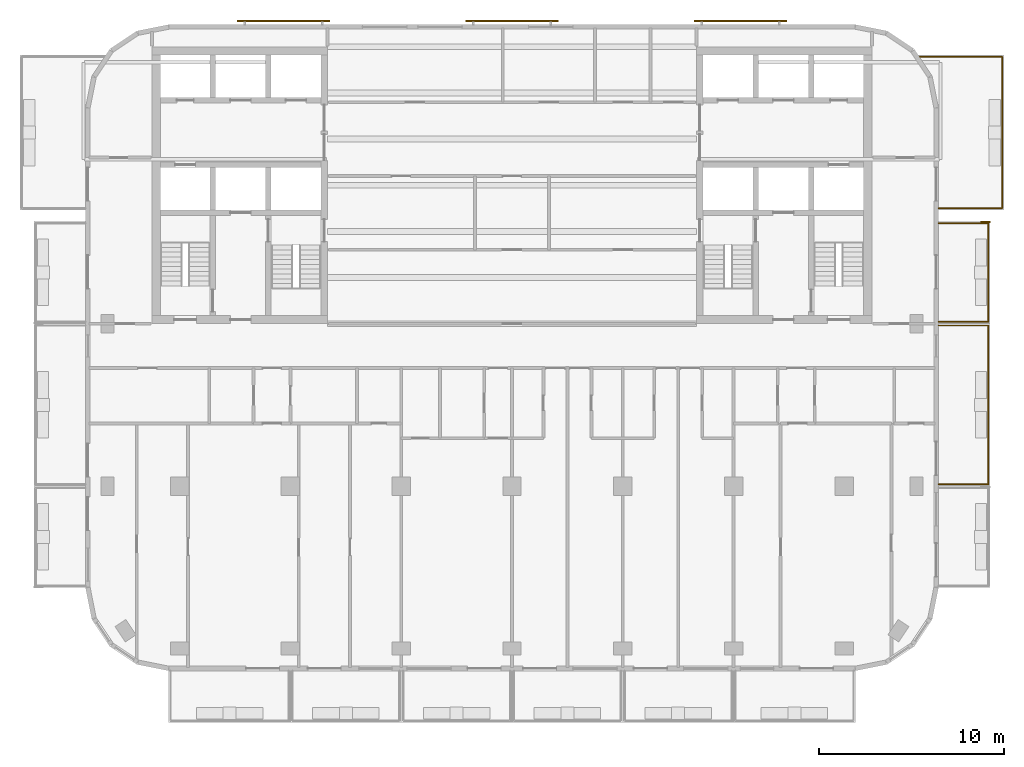
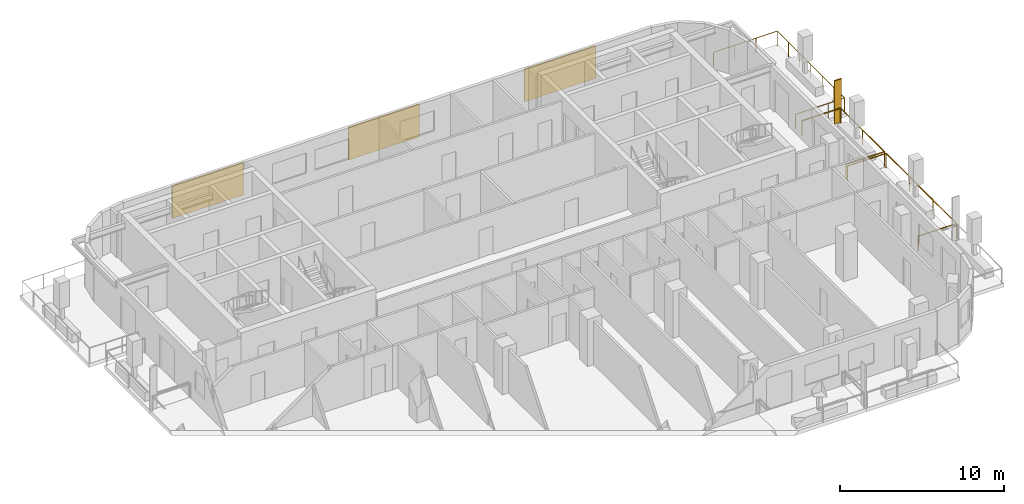
# One storey, part 10 of 11: 4 shading devices, 3 railings.
"""IFC4 building model written with IfcOpenShell, lengths in metres."""

from ifc_helpers import new_model, si_unit, direction, frame, origin, origin_2d, place, context, subcontext, project, spatial, rectangle, circle, extrude, material, layer, layer_set, type_object, element, save


model = new_model("IFC4")

# Units and contexts
model_context = context("Model", 3, precision=1e-05, world=origin(), true_north=direction((0.0, 1.0)))
body_context = subcontext(model_context, "Body", "Model", "MODEL_VIEW")
ifc_project = project(units=[si_unit("LENGTHUNIT", "METRE"), si_unit("AREAUNIT", "SQUARE_METRE"), si_unit("VOLUMEUNIT", "CUBIC_METRE"), si_unit("PLANEANGLEUNIT", "RADIAN"), si_unit("MASSUNIT", "GRAM", prefix="KILO")], contexts=[model_context])

# Site, building, storey
site_placement = place(None, origin())
site = spatial("IfcSite", under=ifc_project, at=site_placement, CompositionType="ELEMENT")
building_placement = place(site_placement, origin())
building = spatial("IfcBuilding", under=site, at=building_placement, Name="Torana Hotel and Residences", CompositionType="ELEMENT")
storey_placement = place(building_placement, frame((0.0, 0.0, 273.60009765625)))
storey = spatial("IfcBuildingStorey", under=building, at=storey_placement, Name="L72", CompositionType="ELEMENT", Elevation=273.60009765625)

# Shading device
ifc_material_1 = material(Name="Black powder coated aluminium", Category="aluminium")
ifc_layer_1 = layer(ifc_material_1, 0.080078125)
ifc_layer_set_1 = layer_set([ifc_layer_1], Name="FN1 VERTICAL FIN 500x80")
shading_device_type_1 = type_object("IfcShadingDeviceType", Name="FN1 VERTICAL FIN 500x80", PredefinedType="USERDEFINED", material=ifc_layer_set_1)
shading_device_placement = place(storey_placement, frame((25.64990234375, -9.489990234375, 0.0), z_axis=(0.0, 0.0, 1.0), x_axis=(0.0, -1.0, 0.0)))
element("IfcShadingDevice", 1, at=shading_device_placement, inside=storey, type_object=shading_device_type_1, Name="Fin 13", ObjectType="FIN", PredefinedType="USERDEFINED", context=body_context, shape_type="SweptSolid", body=[
    extrude(rectangle(XDim=0.080078125, YDim=0.5, at=origin_2d()), origin(), (0.0, 0.0, 1.0), 3.219970703125),
])

# Railings
ifc_material_2 = material(Name="Laminated glass balustrade with black handrail", Category="glass")
railing_type = type_object("IfcRailingType", Name="GR1 BALCONY GUARD 1100 GLASS", PredefinedType="GUARDRAIL", material=ifc_material_2)
railing_1_placement = place(storey_placement, frame((23.10009765625, -15.10009765625, 0.0)))
element("IfcRailing", 2, at=railing_1_placement, inside=storey, type_object=railing_type, Name="Balcony guard 12", PredefinedType="GUARDRAIL", context=body_context, shape_type="SweptSolid", body=[
    extrude(circle(Radius=0.02392578125, at=origin_2d()), frame((0.0, 0.0, 1.076171875), z_axis=(1.0, 0.0, 0.0), x_axis=(0.0, 1.0, 0.0)), (0.0, 0.0, 1.0), 2.699951171875),
    extrude(circle(Radius=0.02392578125, at=origin_2d()), frame((2.699951171875, 0.0, 1.076171875), z_axis=(0.0, -1.0, 0.0), x_axis=(1.0, 0.0, 0.0)), (0.0, 0.0, 1.0), 8.599853515625),
    extrude(circle(Radius=0.02392578125, at=origin_2d()), frame((2.699951171875, -8.599853515625, 1.076171875), z_axis=(-1.0, 0.0, 0.0), x_axis=(0.0, -1.0, 0.0)), (0.0, 0.0, 1.0), 2.699951171875),
    extrude(circle(Radius=0.02099609375, at=origin_2d()), origin(), (0.0, 0.0, 1.0), 1.052001953125),
    extrude(circle(Radius=0.02099609375, at=origin_2d()), frame((2.699951171875, 0.0, 0.0)), (0.0, 0.0, 1.0), 1.052001953125),
    extrude(circle(Radius=0.02099609375, at=origin_2d()), frame((2.699951171875, -2.86669921875, 0.0)), (0.0, 0.0, 1.0), 1.052001953125),
    extrude(circle(Radius=0.02099609375, at=origin_2d()), frame((2.699951171875, -5.733154296875, 0.0)), (0.0, 0.0, 1.0), 1.052001953125),
    extrude(circle(Radius=0.02099609375, at=origin_2d()), frame((2.699951171875, -8.599853515625, 0.0)), (0.0, 0.0, 1.0), 1.052001953125),
    extrude(circle(Radius=0.02099609375, at=origin_2d()), frame((0.0, -8.599853515625, 0.0)), (0.0, 0.0, 1.0), 1.052001953125),
])
railing_2_placement = place(storey_placement, frame((23.10009765625, -9.550048828125, 0.0)))
element("IfcRailing", 3, at=railing_2_placement, inside=storey, type_object=railing_type, Name="Balcony guard 13", PredefinedType="GUARDRAIL", context=body_context, shape_type="SweptSolid", body=[
    extrude(circle(Radius=0.02392578125, at=origin_2d()), frame((0.0, 0.0, 1.076171875), z_axis=(1.0, 0.0, 0.0), x_axis=(0.0, 1.0, 0.0)), (0.0, 0.0, 1.0), 2.699951171875),
    extrude(circle(Radius=0.02392578125, at=origin_2d()), frame((2.699951171875, 0.0, 1.076171875), z_axis=(0.0, -1.0, 0.0), x_axis=(1.0, 0.0, 0.0)), (0.0, 0.0, 1.0), 5.349853515625),
    extrude(circle(Radius=0.02392578125, at=origin_2d()), frame((2.699951171875, -5.349853515625, 1.076171875), z_axis=(-1.0, 0.0, 0.0), x_axis=(0.0, -1.0, 0.0)), (0.0, 0.0, 1.0), 2.699951171875),
    extrude(circle(Radius=0.02099609375, at=origin_2d()), origin(), (0.0, 0.0, 1.0), 1.052001953125),
    extrude(circle(Radius=0.02099609375, at=origin_2d()), frame((2.699951171875, 0.0, 0.0)), (0.0, 0.0, 1.0), 1.052001953125),
    extrude(circle(Radius=0.02099609375, at=origin_2d()), frame((2.699951171875, -2.6748046875, 0.0)), (0.0, 0.0, 1.0), 1.052001953125),
    extrude(circle(Radius=0.02099609375, at=origin_2d()), frame((2.699951171875, -5.349853515625, 0.0)), (0.0, 0.0, 1.0), 1.052001953125),
    extrude(circle(Radius=0.02099609375, at=origin_2d()), frame((0.0, -5.349853515625, 0.0)), (0.0, 0.0, 1.0), 1.052001953125),
])
railing_3_placement = place(storey_placement, frame((22.07080078125, -0.550048828125, 0.0)))
element("IfcRailing", 4, at=railing_3_placement, inside=storey, type_object=railing_type, Name="Balcony guard 14", PredefinedType="GUARDRAIL", context=body_context, shape_type="SweptSolid", body=[
    extrude(circle(Radius=0.02392578125, at=origin_2d()), frame((0.0, 0.0, 1.076171875), z_axis=(1.0, 0.0, 0.0), x_axis=(0.0, 1.0, 0.0)), (0.0, 0.0, 1.0), 4.479248046875),
    extrude(circle(Radius=0.02392578125, at=origin_2d()), frame((4.479248046875, 0.0, 1.076171875), z_axis=(0.0, -1.0, 0.0), x_axis=(1.0, 0.0, 0.0)), (0.0, 0.0, 1.0), 8.199951171875),
    extrude(circle(Radius=0.02392578125, at=origin_2d()), frame((4.479248046875, -8.199951171875, 1.076171875), z_axis=(-1.0, 0.0, 0.0), x_axis=(0.0, -1.0, 0.0)), (0.0, 0.0, 1.0), 3.449951171875),
    extrude(circle(Radius=0.02099609375, at=origin_2d()), origin(), (0.0, 0.0, 1.0), 1.052001953125),
    extrude(circle(Radius=0.02099609375, at=origin_2d()), frame((1.4931640625, 0.0, 0.0)), (0.0, 0.0, 1.0), 1.052001953125),
    extrude(circle(Radius=0.02099609375, at=origin_2d()), frame((2.986083984375, 0.0, 0.0)), (0.0, 0.0, 1.0), 1.052001953125),
    extrude(circle(Radius=0.02099609375, at=origin_2d()), frame((4.479248046875, 0.0, 0.0)), (0.0, 0.0, 1.0), 1.052001953125),
    extrude(circle(Radius=0.02099609375, at=origin_2d()), frame((4.479248046875, -1.36669921875, 0.0)), (0.0, 0.0, 1.0), 1.052001953125),
    extrude(circle(Radius=0.02099609375, at=origin_2d()), frame((4.479248046875, -2.7333984375, 0.0)), (0.0, 0.0, 1.0), 1.052001953125),
    extrude(circle(Radius=0.02099609375, at=origin_2d()), frame((4.479248046875, -4.10009765625, 0.0)), (0.0, 0.0, 1.0), 1.052001953125),
    extrude(circle(Radius=0.02099609375, at=origin_2d()), frame((4.479248046875, -5.466552734375, 0.0)), (0.0, 0.0, 1.0), 1.052001953125),
    extrude(circle(Radius=0.02099609375, at=origin_2d()), frame((4.479248046875, -6.833251953125, 0.0)), (0.0, 0.0, 1.0), 1.052001953125),
    extrude(circle(Radius=0.02099609375, at=origin_2d()), frame((4.479248046875, -8.199951171875, 0.0)), (0.0, 0.0, 1.0), 1.052001953125),
    extrude(circle(Radius=0.02099609375, at=origin_2d()), frame((3.329345703125, -8.199951171875, 0.0)), (0.0, 0.0, 1.0), 1.052001953125),
    extrude(circle(Radius=0.02099609375, at=origin_2d()), frame((2.17919921875, -8.199951171875, 0.0)), (0.0, 0.0, 1.0), 1.052001953125),
    extrude(circle(Radius=0.02099609375, at=origin_2d()), frame((1.029296875, -8.199951171875, 0.0)), (0.0, 0.0, 1.0), 1.052001953125),
])

# Shading devices
ifc_material_3 = material(Name="Concrete C40/50 precast", Category="concrete")
ifc_layer_2 = layer(ifc_material_3, 0.10009765625)
ifc_layer_set_2 = layer_set([ifc_layer_2], Name="SC1 PERFORATED BLOCK SCREEN PANEL 100")
shading_device_type_2 = type_object("IfcShadingDeviceType", Name="SC1 PERFORATED BLOCK SCREEN PANEL 100", PredefinedType="USERDEFINED", material=ifc_layer_set_2)
for number, where, z_axis, x_axis, name in (
    (5, (12.383544921875, 1.39990234375, 0.5), (0.0, 0.0, 1.0), (-1.0, 0.0, 0.0), "Perforated block screen L72"),
    (6, (0.0, 1.39990234375, 0.5), (0.0, 0.0, 1.0), (-1.0, 0.0, 0.0), "Perforated block screen L72"),
    (7, (-12.383544921875, 1.39990234375, 0.5), (0.0, 0.0, 1.0), (-1.0, 0.0, 0.0), "Perforated block screen L72"),
):
    element("IfcShadingDevice", number, at=place(storey_placement, frame(where, z_axis=z_axis, x_axis=x_axis)), inside=storey, type_object=shading_device_type_2, Name=name, ObjectType="SCREEN", PredefinedType="USERDEFINED", context=body_context, shape_type="SweptSolid", body=[
        extrude(rectangle(XDim=5.0, YDim=0.10009765625, at=origin_2d()), origin(), (0.0, 0.0, 1.0), 2.419921875),
    ])

save(model, "model.ifc")
